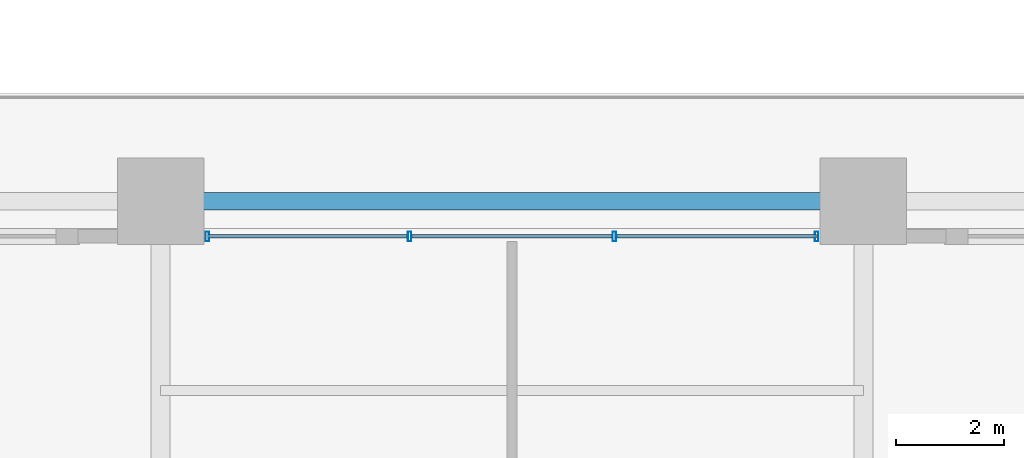
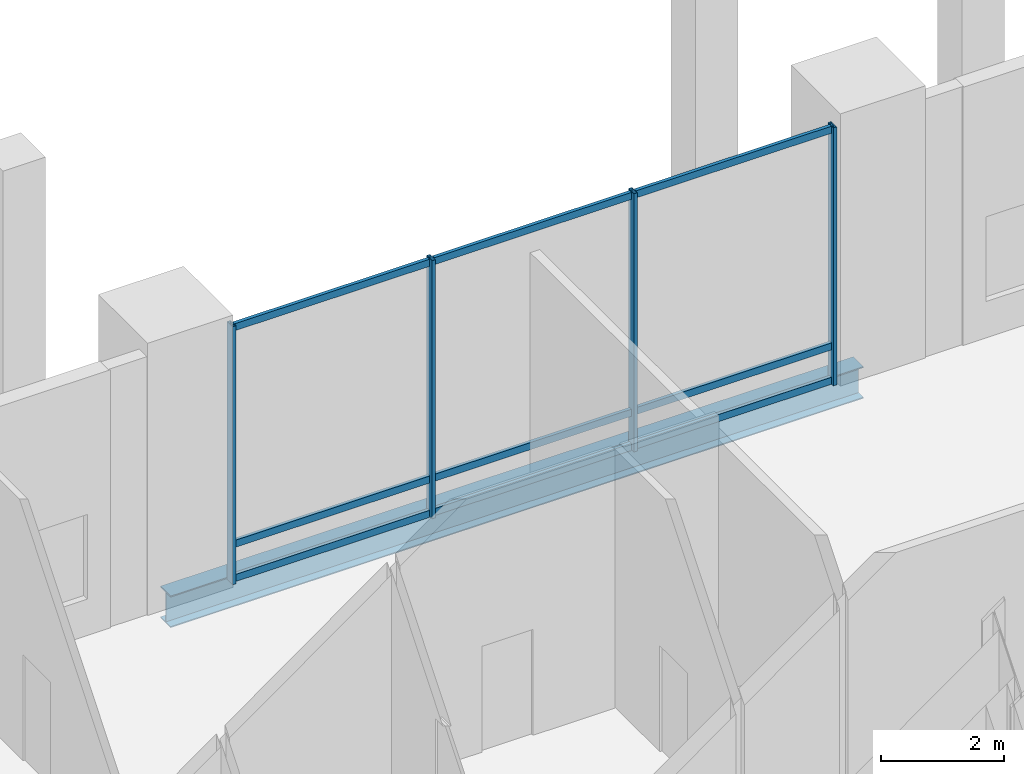
# One storey, part 5 of 22: 13 members, 1 beam, 1 element without a shape of its own.
"""IFC4 building model written with IfcOpenShell, lengths in metres."""

from ifc_helpers import new_model, si_unit, direction, frame, origin, origin_2d, place, context, subcontext, project, spatial, hollow_rectangle, i_section, extrude, material, layer, layer_set, material_profile, profile_set, type_object, element, aggregate, save


model = new_model("IFC4")

# Units and contexts
model_context = context("Model", 3, precision=1e-05, world=origin(), true_north=direction((0.0, 1.0)))
body_context = subcontext(model_context, "Body", "Model", "MODEL_VIEW")
ifc_project = project(units=[si_unit("LENGTHUNIT", "METRE"), si_unit("AREAUNIT", "SQUARE_METRE"), si_unit("VOLUMEUNIT", "CUBIC_METRE"), si_unit("PLANEANGLEUNIT", "RADIAN"), si_unit("MASSUNIT", "GRAM", prefix="KILO")], contexts=[model_context])

# Site, building, storey
site_placement = place(None, origin())
site = spatial("IfcSite", under=ifc_project, at=site_placement, CompositionType="ELEMENT")
building_placement = place(site_placement, origin())
building = spatial("IfcBuilding", under=site, at=building_placement, Name="Barlavira Tower and Art Museum", CompositionType="ELEMENT")
storey_placement = place(building_placement, frame((0.0, 0.0, 16.800048828125)))
storey = spatial("IfcBuildingStorey", under=building, at=storey_placement, Name="L03", CompositionType="ELEMENT", Elevation=16.800048828125)

# Curtain wall, members
ifc_material_1 = material(Name="Low-iron coastal laminated glass", Category="glass")
ifc_layer = layer(ifc_material_1, 0.179931640625, Name="Low-iron coastal laminated glass")
ifc_layer_set = layer_set([ifc_layer], Name="Low-iron coastal laminated glass")
curtain_wall_type = type_object("IfcCurtainWallType", Name="Pale-Metal Unitised Curtain Wall Zone 1", PredefinedType="NOTDEFINED", material=ifc_layer_set)
curtain_wall_placement = place(storey_placement, origin())
curtain_wall = element("IfcCurtainWall", 1, at=curtain_wall_placement, inside=storey, type_object=curtain_wall_type, Name="L03 Curtain Wall CW1-L03-N-B2", PredefinedType="NOTDEFINED")
ifc_material_2 = material(Name="Pale anodised aluminium", Category="aluminium")
ifc_material_profile_1 = material_profile(ifc_material_2, hollow_rectangle(XDim=0.06494140625, YDim=0.179931640625, WallThickness=0.00390625, at=origin_2d()), Name="ALU-MULL 65x180x4")
ifc_profile_set_1 = profile_set([ifc_material_profile_1], Name="Pale anodised aluminium")
member_type_1 = type_object("IfcMemberType", Name="Curtain Wall Pale-Metal Mullion 65x180", PredefinedType="MULLION", material=ifc_profile_set_1)
member_1_placement = place(storey_placement, frame((5.635009765625, 19.35009765625, 0.0), z_axis=(0.0, 0.0, 1.0), x_axis=(-1.0, 0.0, 0.0)))
member_1 = element("IfcMember", 2, at=member_1_placement, type_object=member_type_1, Name="CW1-L03-N-B2 Mullion 0", PredefinedType="MULLION", context=body_context, shape_type="SweptSolid", body=[
    extrude(hollow_rectangle(XDim=0.06494140625, YDim=0.179931640625, WallThickness=0.00390625, at=origin_2d()), origin(), (0.0, 0.0, 1.0), 5.119873046875),
])
member_2_placement = place(storey_placement, frame((1.893310546875, 19.35009765625, 0.0), z_axis=(0.0, 0.0, 1.0), x_axis=(-1.0, 0.0, 0.0)))
member_2 = element("IfcMember", 3, at=member_2_placement, type_object=member_type_1, Name="CW1-L03-N-B2 Mullion 1", PredefinedType="MULLION", context=body_context, shape_type="SweptSolid", body=[
    extrude(hollow_rectangle(XDim=0.06494140625, YDim=0.179931640625, WallThickness=0.00390625, at=origin_2d()), origin(), (0.0, 0.0, 1.0), 5.119873046875),
])
member_3_placement = place(storey_placement, frame((-1.893310546875, 19.35009765625, 0.0), z_axis=(0.0, 0.0, 1.0), x_axis=(-1.0, 0.0, 0.0)))
member_3 = element("IfcMember", 4, at=member_3_placement, type_object=member_type_1, Name="CW1-L03-N-B2 Mullion 2", PredefinedType="MULLION", context=body_context, shape_type="SweptSolid", body=[
    extrude(hollow_rectangle(XDim=0.06494140625, YDim=0.179931640625, WallThickness=0.00390625, at=origin_2d()), origin(), (0.0, 0.0, 1.0), 5.119873046875),
])
member_4_placement = place(storey_placement, frame((-5.635009765625, 19.35009765625, 0.0), z_axis=(0.0, 0.0, 1.0), x_axis=(-1.0, 0.0, 0.0)))
member_4 = element("IfcMember", 5, at=member_4_placement, type_object=member_type_1, Name="CW1-L03-N-B2 Mullion 3", PredefinedType="MULLION", context=body_context, shape_type="SweptSolid", body=[
    extrude(hollow_rectangle(XDim=0.06494140625, YDim=0.179931640625, WallThickness=0.00390625, at=origin_2d()), origin(), (0.0, 0.0, 1.0), 5.119873046875),
])
ifc_material_profile_2 = material_profile(ifc_material_2, hollow_rectangle(XDim=0.06494140625, YDim=0.139892578125, WallThickness=0.00390625, at=origin_2d()), Name="ALU-TRAN 65x140x4")
ifc_profile_set_2 = profile_set([ifc_material_profile_2], Name="Pale anodised aluminium")
member_type_2 = type_object("IfcMemberType", Name="Curtain Wall Pale-Metal Transom 65x140", PredefinedType="USERDEFINED", material=ifc_profile_set_2)
member_5_placement = place(storey_placement, frame((5.635009765625, 19.35009765625, 0.070068359375), z_axis=(-1.0, 0.0, 0.0), x_axis=(0.0, -1.0, 0.0)))
member_5 = element("IfcMember", 6, at=member_5_placement, type_object=member_type_2, Name="CW1-L03-N-B2 Transom 0.1", ObjectType="TRANSOM", PredefinedType="USERDEFINED", context=body_context, shape_type="SweptSolid", body=[
    extrude(hollow_rectangle(XDim=0.06494140625, YDim=0.139892578125, WallThickness=0.00390625, at=origin_2d()), origin(), (0.0, 0.0, 1.0), 3.69677734375),
])
member_6_placement = place(storey_placement, frame((5.635009765625, 19.35009765625, 0.75), z_axis=(-1.0, 0.0, 0.0), x_axis=(0.0, -1.0, 0.0)))
member_6 = element("IfcMember", 7, at=member_6_placement, type_object=member_type_2, Name="CW1-L03-N-B2 Transom 0.2", ObjectType="TRANSOM", PredefinedType="USERDEFINED", context=body_context, shape_type="SweptSolid", body=[
    extrude(hollow_rectangle(XDim=0.06494140625, YDim=0.139892578125, WallThickness=0.00390625, at=origin_2d()), origin(), (0.0, 0.0, 1.0), 3.69677734375),
])
member_7_placement = place(storey_placement, frame((5.635009765625, 19.35009765625, 5.050048828125), z_axis=(-1.0, 0.0, 0.0), x_axis=(0.0, -1.0, 0.0)))
member_7 = element("IfcMember", 8, at=member_7_placement, type_object=member_type_2, Name="CW1-L03-N-B2 Transom 0.3", ObjectType="TRANSOM", PredefinedType="USERDEFINED", context=body_context, shape_type="SweptSolid", body=[
    extrude(hollow_rectangle(XDim=0.06494140625, YDim=0.139892578125, WallThickness=0.00390625, at=origin_2d()), origin(), (0.0, 0.0, 1.0), 3.69677734375),
])
member_8_placement = place(storey_placement, frame((1.848388671875, 19.35009765625, 0.070068359375), z_axis=(-1.0, 0.0, 0.0), x_axis=(0.0, -1.0, 0.0)))
member_8 = element("IfcMember", 9, at=member_8_placement, type_object=member_type_2, Name="CW1-L03-N-B2 Transom 1.1", ObjectType="TRANSOM", PredefinedType="USERDEFINED", context=body_context, shape_type="SweptSolid", body=[
    extrude(hollow_rectangle(XDim=0.06494140625, YDim=0.139892578125, WallThickness=0.00390625, at=origin_2d()), origin(), (0.0, 0.0, 1.0), 3.69677734375),
])
member_9_placement = place(storey_placement, frame((1.848388671875, 19.35009765625, 0.75), z_axis=(-1.0, 0.0, 0.0), x_axis=(0.0, -1.0, 0.0)))
member_9 = element("IfcMember", 10, at=member_9_placement, type_object=member_type_2, Name="CW1-L03-N-B2 Transom 1.2", ObjectType="TRANSOM", PredefinedType="USERDEFINED", context=body_context, shape_type="SweptSolid", body=[
    extrude(hollow_rectangle(XDim=0.06494140625, YDim=0.139892578125, WallThickness=0.00390625, at=origin_2d()), origin(), (0.0, 0.0, 1.0), 3.69677734375),
])
member_10_placement = place(storey_placement, frame((1.848388671875, 19.35009765625, 5.050048828125), z_axis=(-1.0, 0.0, 0.0), x_axis=(0.0, -1.0, 0.0)))
member_10 = element("IfcMember", 11, at=member_10_placement, type_object=member_type_2, Name="CW1-L03-N-B2 Transom 1.3", ObjectType="TRANSOM", PredefinedType="USERDEFINED", context=body_context, shape_type="SweptSolid", body=[
    extrude(hollow_rectangle(XDim=0.06494140625, YDim=0.139892578125, WallThickness=0.00390625, at=origin_2d()), origin(), (0.0, 0.0, 1.0), 3.69677734375),
])
member_11_placement = place(storey_placement, frame((-1.938232421875, 19.35009765625, 0.070068359375), z_axis=(-1.0, 0.0, 0.0), x_axis=(0.0, -1.0, 0.0)))
member_11 = element("IfcMember", 12, at=member_11_placement, type_object=member_type_2, Name="CW1-L03-N-B2 Transom 2.1", ObjectType="TRANSOM", PredefinedType="USERDEFINED", context=body_context, shape_type="SweptSolid", body=[
    extrude(hollow_rectangle(XDim=0.06494140625, YDim=0.139892578125, WallThickness=0.00390625, at=origin_2d()), origin(), (0.0, 0.0, 1.0), 3.69677734375),
])
member_12_placement = place(storey_placement, frame((-1.938232421875, 19.35009765625, 0.75), z_axis=(-1.0, 0.0, 0.0), x_axis=(0.0, -1.0, 0.0)))
member_12 = element("IfcMember", 13, at=member_12_placement, type_object=member_type_2, Name="CW1-L03-N-B2 Transom 2.2", ObjectType="TRANSOM", PredefinedType="USERDEFINED", context=body_context, shape_type="SweptSolid", body=[
    extrude(hollow_rectangle(XDim=0.06494140625, YDim=0.139892578125, WallThickness=0.00390625, at=origin_2d()), origin(), (0.0, 0.0, 1.0), 3.69677734375),
])
member_13_placement = place(storey_placement, frame((-1.938232421875, 19.35009765625, 5.050048828125), z_axis=(-1.0, 0.0, 0.0), x_axis=(0.0, -1.0, 0.0)))
member_13 = element("IfcMember", 14, at=member_13_placement, type_object=member_type_2, Name="CW1-L03-N-B2 Transom 2.3", ObjectType="TRANSOM", PredefinedType="USERDEFINED", context=body_context, shape_type="SweptSolid", body=[
    extrude(hollow_rectangle(XDim=0.06494140625, YDim=0.139892578125, WallThickness=0.00390625, at=origin_2d()), origin(), (0.0, 0.0, 1.0), 3.69677734375),
])
aggregate(curtain_wall, [member_1, member_2, member_3, member_4, member_5, member_6, member_7, member_8, member_9, member_10, member_11, member_12, member_13])

# Beam
ifc_material_3 = material(Name="Steel S355", Category="steel")
ifc_material_profile_3 = material_profile(ifc_material_3, i_section(OverallWidth=0.327880859375, OverallDepth=0.62890625, WebThickness=0.013916015625, FlangeThickness=0.021484375, at=origin_2d()), Name="W610x174.0")
ifc_profile_set_3 = profile_set([ifc_material_profile_3], Name="Steel S355")
beam_type = type_object("IfcBeamType", Name="Perimeter Spandrel Edge Beam W610x174 Steel S355", PredefinedType="SPANDREL", material=ifc_profile_set_3)
beam_placement = place(storey_placement, frame((-6.5, 20.0, -0.594482421875), z_axis=(1.0, 0.0, 0.0), x_axis=(0.0, 1.0, 0.0)))
element("IfcBeam", 15, at=beam_placement, inside=storey, type_object=beam_type, Name="L03 Podium Spandrel PN3", PredefinedType="SPANDREL", context=body_context, shape_type="SweptSolid", body=[
    extrude(i_section(OverallWidth=0.327880859375, OverallDepth=0.62890625, WebThickness=0.013916015625, FlangeThickness=0.021484375, at=origin_2d()), origin(), (0.0, 0.0, 1.0), 13.0),
])

save(model, "model.ifc")
